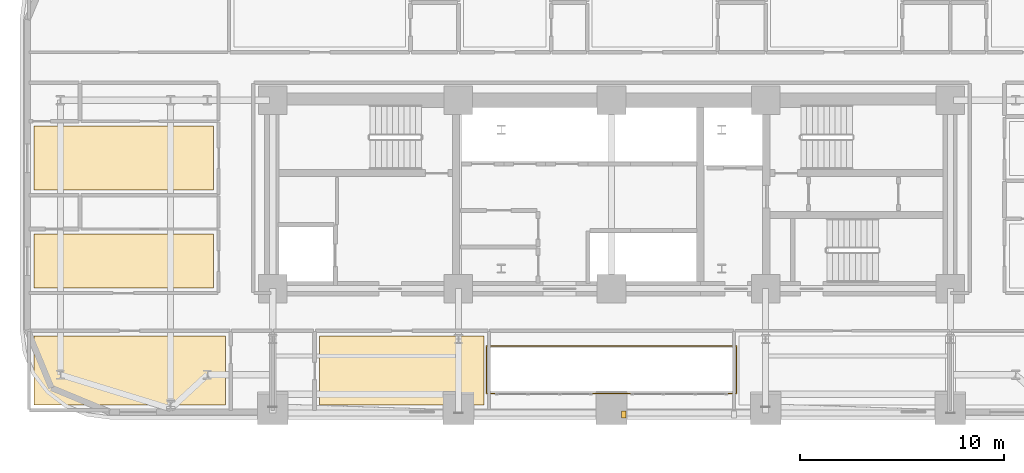
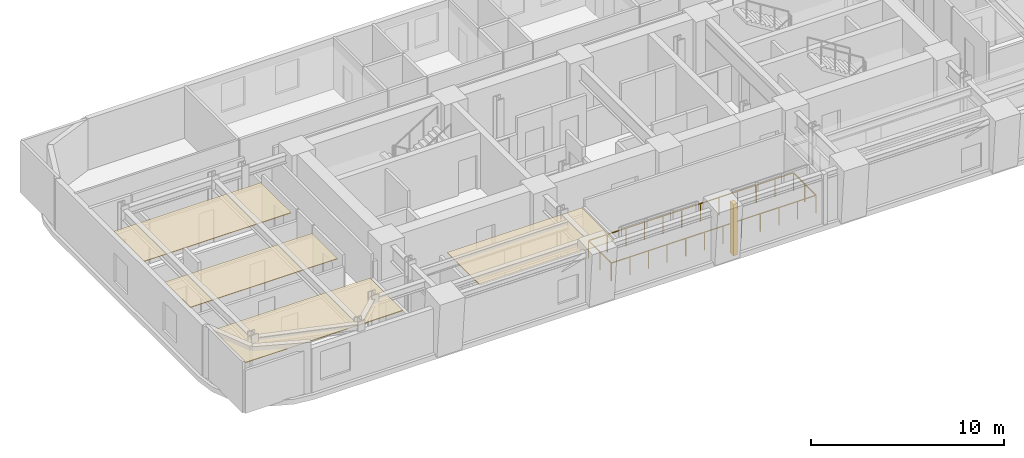
# One storey, part 13 of 16: 5 coverings, 1 railing.
"""IFC4 building model written with IfcOpenShell, lengths in metres."""

from ifc_helpers import new_model, si_unit, direction, frame, origin, origin_2d, place, context, subcontext, project, spatial, polyline, rectangle, outline, extrude, material, layer, layer_set, type_object, element, save


model = new_model("IFC4")

# Units and contexts
model_context = context("Model", 3, precision=1e-05, world=origin(), true_north=direction((0.0, 1.0)))
body_context = subcontext(model_context, "Body", "Model", "MODEL_VIEW")
ifc_project = project(units=[si_unit("LENGTHUNIT", "METRE"), si_unit("AREAUNIT", "SQUARE_METRE"), si_unit("VOLUMEUNIT", "CUBIC_METRE"), si_unit("PLANEANGLEUNIT", "RADIAN"), si_unit("MASSUNIT", "GRAM", prefix="KILO")], contexts=[model_context])

# Site, building, storey
site_placement = place(None, origin())
site = spatial("IfcSite", under=ifc_project, at=site_placement, CompositionType="ELEMENT")
building_placement = place(site_placement, origin())
building = spatial("IfcBuilding", under=site, at=building_placement, Name="Zarnavel Station Tower", CompositionType="ELEMENT")
storey_placement = place(building_placement, frame((0.0, 0.0, 46.5)))
storey = spatial("IfcBuildingStorey", under=building, at=storey_placement, Name="L12", CompositionType="ELEMENT", Elevation=46.5)

# Coverings
ifc_material_1 = material(Name="Perforated Gypsum and Mineral-Wool Acoustic Ceiling", Category="concrete")
ifc_layer = layer(ifc_material_1, 0.0400390625)
ifc_layer_set = layer_set([ifc_layer], Name="COV_CEIL_ACOUSTIC")
covering_type_1 = type_object("IfcCoveringType", Name="COV_CEIL_ACOUSTIC", PredefinedType="CEILING", material=ifc_layer_set)
covering_1_placement = place(storey_placement, frame((0.0, 0.0, 2.919921875)))
element("IfcCovering", 1, at=covering_1_placement, inside=storey, type_object=covering_type_1, Name="L12 FNW1R Acoustic Ceiling", PredefinedType="CEILING", context=body_context, shape_type="SweptSolid", body=[
    extrude(outline(polyline([(0.510009765625, 27.85009765625), (9.300048828125, 27.85009765625), (9.300048828125, 30.490966796875), (0.510009765625, 30.490966796875), (0.510009765625, 27.85009765625)])), origin(), (0.0, 0.0, 1.0), 0.0400390625),
])
covering_2_placement = place(storey_placement, frame((0.0, 0.0, 2.919921875)))
element("IfcCovering", 2, at=covering_2_placement, inside=storey, type_object=covering_type_1, Name="L12 FNW2R Acoustic Ceiling", PredefinedType="CEILING", context=body_context, shape_type="SweptSolid", body=[
    extrude(outline(polyline([(0.510009765625, 32.64111328125), (9.300048828125, 32.64111328125), (9.300048828125, 35.777099609375), (0.510009765625, 35.777099609375), (0.510009765625, 32.64111328125)])), origin(), (0.0, 0.0, 1.0), 0.0400390625),
])
covering_3_placement = place(storey_placement, frame((0.0, 0.0, 2.919921875)))
element("IfcCovering", 3, at=covering_3_placement, inside=storey, type_object=covering_type_1, Name="L12 HW1R Acoustic Ceiling", PredefinedType="CEILING", context=body_context, shape_type="SweptSolid", body=[
    extrude(outline(polyline([(0.510009765625, 22.110107421875), (9.89990234375, 22.110107421875), (9.89990234375, 25.5), (0.510009765625, 25.5), (0.510009765625, 22.110107421875)])), origin(), (0.0, 0.0, 1.0), 0.0400390625),
])
covering_4_placement = place(storey_placement, frame((0.0, 0.0, 2.919921875)))
element("IfcCovering", 4, at=covering_4_placement, inside=storey, type_object=covering_type_1, Name="L12 HW2R Acoustic Ceiling", PredefinedType="CEILING", context=body_context, shape_type="SweptSolid", body=[
    extrude(outline(polyline([(14.5, 22.110107421875), (22.550048828125, 22.110107421875), (22.550048828125, 25.5), (14.5, 25.5), (14.5, 22.110107421875)])), origin(), (0.0, 0.0, 1.0), 0.0400390625),
])
ifc_material_2 = material(Name="Precast concrete C45/55 (Pale Travertine Slab Band)", Category="masonry")
covering_type_2 = type_object("IfcCoveringType", Name="COV_TRAVERTINE_BAND", PredefinedType="CLADDING", material=ifc_material_2)
covering_5_placement = place(storey_placement, frame((29.39990234375, 21.64990234375, 0.0), z_axis=(0.0, 0.0, 1.0), x_axis=(1.0, 0.0, 0.0)))
element("IfcCovering", 5, at=covering_5_placement, inside=storey, type_object=covering_type_2, Name="L12 Travertine Portal Loggia Vertical Jog West", PredefinedType="CLADDING", context=body_context, shape_type="SweptSolid", body=[
    extrude(rectangle(XDim=0.239990234375, YDim=0.360107421875, at=origin_2d()), origin(), (0.0, 0.0, 1.0), 3.239990234375),
])

# Railing
ifc_material_3 = material(Name="Painted Steel S355J2 Balustrade", Category="steel")
railing_type = type_object("IfcRailingType", Name="GR_INT_1150", PredefinedType="GUARDRAIL", material=ifc_material_3)
railing_placement = place(storey_placement, frame((22.679931640625, 22.679931640625, 0.0)))
element("IfcRailing", 6, at=railing_placement, inside=storey, type_object=railing_type, Name="L12 Atrium Void Guardrail", PredefinedType="GUARDRAIL", context=body_context, shape_type="SweptSolid", body=[
    extrude(rectangle(XDim=0.048095703125, YDim=0.048095703125, at=origin_2d()), frame((0.001953125, 0.0, 1.1259765625), z_axis=(1.0, 0.0, 0.0), x_axis=(0.0, 1.0, 0.0)), (0.0, 0.0, 1.0), 12.236083984375),
    extrude(rectangle(XDim=0.048095703125, YDim=0.048095703125, at=origin_2d()), frame((12.239990234375, 0.001953125, 1.1259765625), z_axis=(0.0, 1.0, 0.0), x_axis=(-1.0, 0.0, 0.0)), (0.0, 0.0, 1.0), 2.336181640625),
    extrude(rectangle(XDim=0.048095703125, YDim=0.048095703125, at=origin_2d()), frame((12.238037109375, 2.340087890625, 1.1259765625), z_axis=(-1.0, 0.0, 0.0), x_axis=(0.0, -1.0, 0.0)), (0.0, 0.0, 1.0), 12.236083984375),
    extrude(rectangle(XDim=0.048095703125, YDim=0.048095703125, at=origin_2d()), frame((0.0, 2.338134765625, 1.1259765625), z_axis=(0.0, -1.0, 0.0), x_axis=(1.0, 0.0, 0.0)), (0.0, 0.0, 1.0), 2.336181640625),
    extrude(rectangle(XDim=0.0419921875, YDim=0.0419921875, at=origin_2d()), origin(), (0.0, 0.0, 1.0), 1.101806640625),
    extrude(rectangle(XDim=0.0419921875, YDim=0.0419921875, at=origin_2d()), frame((1.11279296875, 0.0, 0.0)), (0.0, 0.0, 1.0), 1.101806640625),
    extrude(rectangle(XDim=0.0419921875, YDim=0.0419921875, at=origin_2d()), frame((2.225341796875, 0.0, 0.0)), (0.0, 0.0, 1.0), 1.101806640625),
    extrude(rectangle(XDim=0.0419921875, YDim=0.0419921875, at=origin_2d()), frame((3.338134765625, 0.0, 0.0)), (0.0, 0.0, 1.0), 1.101806640625),
    extrude(rectangle(XDim=0.0419921875, YDim=0.0419921875, at=origin_2d()), frame((4.450927734375, 0.0, 0.0)), (0.0, 0.0, 1.0), 1.101806640625),
    extrude(rectangle(XDim=0.0419921875, YDim=0.0419921875, at=origin_2d()), frame((5.563720703125, 0.0, 0.0)), (0.0, 0.0, 1.0), 1.101806640625),
    extrude(rectangle(XDim=0.0419921875, YDim=0.0419921875, at=origin_2d()), frame((6.67626953125, 0.0, 0.0)), (0.0, 0.0, 1.0), 1.101806640625),
    extrude(rectangle(XDim=0.0419921875, YDim=0.0419921875, at=origin_2d()), frame((7.7890625, 0.0, 0.0)), (0.0, 0.0, 1.0), 1.101806640625),
    extrude(rectangle(XDim=0.0419921875, YDim=0.0419921875, at=origin_2d()), frame((8.90185546875, 0.0, 0.0)), (0.0, 0.0, 1.0), 1.101806640625),
    extrude(rectangle(XDim=0.0419921875, YDim=0.0419921875, at=origin_2d()), frame((10.0146484375, 0.0, 0.0)), (0.0, 0.0, 1.0), 1.101806640625),
    extrude(rectangle(XDim=0.0419921875, YDim=0.0419921875, at=origin_2d()), frame((11.127197265625, 0.0, 0.0)), (0.0, 0.0, 1.0), 1.101806640625),
    extrude(rectangle(XDim=0.0419921875, YDim=0.0419921875, at=origin_2d()), frame((12.239990234375, 0.0, 0.0)), (0.0, 0.0, 1.0), 1.101806640625),
    extrude(rectangle(XDim=0.0419921875, YDim=0.0419921875, at=origin_2d()), frame((12.239990234375, 1.169921875, 0.0)), (0.0, 0.0, 1.0), 1.101806640625),
    extrude(rectangle(XDim=0.0419921875, YDim=0.0419921875, at=origin_2d()), frame((12.239990234375, 2.340087890625, 0.0)), (0.0, 0.0, 1.0), 1.101806640625),
    extrude(rectangle(XDim=0.0419921875, YDim=0.0419921875, at=origin_2d()), frame((11.127197265625, 2.340087890625, 0.0)), (0.0, 0.0, 1.0), 1.101806640625),
    extrude(rectangle(XDim=0.0419921875, YDim=0.0419921875, at=origin_2d()), frame((10.0146484375, 2.340087890625, 0.0)), (0.0, 0.0, 1.0), 1.101806640625),
    extrude(rectangle(XDim=0.0419921875, YDim=0.0419921875, at=origin_2d()), frame((8.90185546875, 2.340087890625, 0.0)), (0.0, 0.0, 1.0), 1.101806640625),
    extrude(rectangle(XDim=0.0419921875, YDim=0.0419921875, at=origin_2d()), frame((7.7890625, 2.340087890625, 0.0)), (0.0, 0.0, 1.0), 1.101806640625),
    extrude(rectangle(XDim=0.0419921875, YDim=0.0419921875, at=origin_2d()), frame((6.67626953125, 2.340087890625, 0.0)), (0.0, 0.0, 1.0), 1.101806640625),
    extrude(rectangle(XDim=0.0419921875, YDim=0.0419921875, at=origin_2d()), frame((5.563720703125, 2.340087890625, 0.0)), (0.0, 0.0, 1.0), 1.101806640625),
    extrude(rectangle(XDim=0.0419921875, YDim=0.0419921875, at=origin_2d()), frame((4.450927734375, 2.340087890625, 0.0)), (0.0, 0.0, 1.0), 1.101806640625),
    extrude(rectangle(XDim=0.0419921875, YDim=0.0419921875, at=origin_2d()), frame((3.338134765625, 2.340087890625, 0.0)), (0.0, 0.0, 1.0), 1.101806640625),
    extrude(rectangle(XDim=0.0419921875, YDim=0.0419921875, at=origin_2d()), frame((2.225341796875, 2.340087890625, 0.0)), (0.0, 0.0, 1.0), 1.101806640625),
    extrude(rectangle(XDim=0.0419921875, YDim=0.0419921875, at=origin_2d()), frame((1.11279296875, 2.340087890625, 0.0)), (0.0, 0.0, 1.0), 1.101806640625),
    extrude(rectangle(XDim=0.0419921875, YDim=0.0419921875, at=origin_2d()), frame((0.0, 2.340087890625, 0.0)), (0.0, 0.0, 1.0), 1.101806640625),
    extrude(rectangle(XDim=0.0419921875, YDim=0.0419921875, at=origin_2d()), frame((0.0, 1.169921875, 0.0)), (0.0, 0.0, 1.0), 1.101806640625),
])

save(model, "model.ifc")
